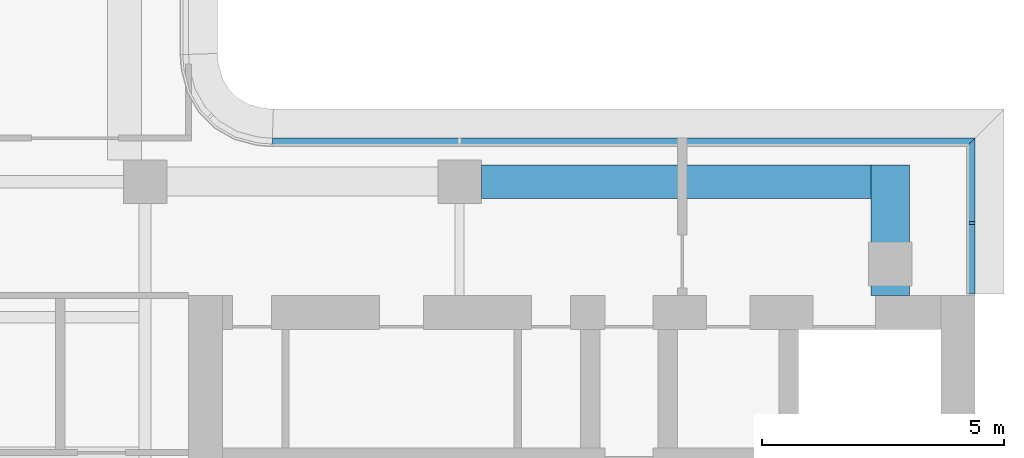
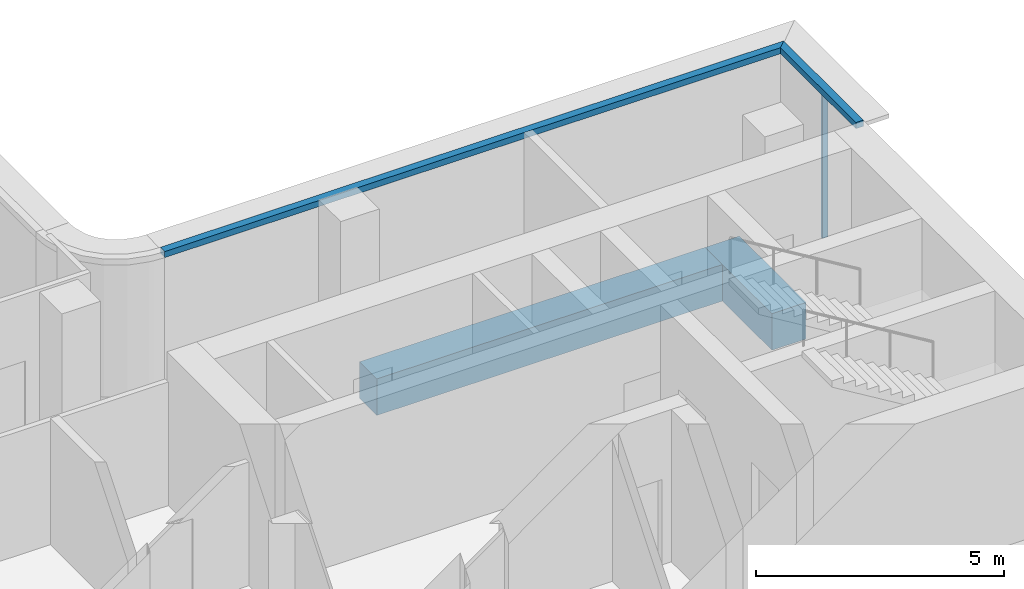
# One storey, part 5 of 11: 3 members, 2 beams, 2 elements without a shape of their own.
"""IFC4 building model written with IfcOpenShell, lengths in metres."""

from ifc_helpers import new_model, si_unit, direction, frame, origin, origin_2d, place, context, subcontext, project, spatial, polyline, rectangle, outline, extrude, source, transform, mapped, material, layer, layer_set, material_profile, profile_set, type_object, element, aggregate, save


model = new_model("IFC4")

# Units and contexts
model_context = context("Model", 3, precision=1e-05, world=origin(), true_north=direction((0.0, 1.0)))
body_context = subcontext(model_context, "Body", "Model", "MODEL_VIEW")
ifc_project = project(units=[si_unit("LENGTHUNIT", "METRE"), si_unit("AREAUNIT", "SQUARE_METRE"), si_unit("VOLUMEUNIT", "CUBIC_METRE"), si_unit("PLANEANGLEUNIT", "RADIAN"), si_unit("MASSUNIT", "GRAM", prefix="KILO")], contexts=[model_context])

# Site, building, storey
site_placement = place(None, origin())
site = spatial("IfcSite", under=ifc_project, at=site_placement, CompositionType="ELEMENT")
building_placement = place(site_placement, origin())
building = spatial("IfcBuilding", under=site, at=building_placement, Name="Trellis Farm Tower", CompositionType="ELEMENT")
storey_placement = place(building_placement, frame((0.0, 0.0, 342.10009765625)))
storey = spatial("IfcBuildingStorey", under=building, at=storey_placement, Name="L77", CompositionType="ELEMENT", Elevation=342.10009765625)

# Beams
ifc_material_1 = material(Name="Concrete C60/75", Category="concrete")
ifc_material_profile_1 = material_profile(ifc_material_1, rectangle(XDim=0.699951171875, YDim=0.89990234375, at=origin_2d()), Name="RC spandrel beam 700x900 C60/75")
ifc_profile_set_1 = profile_set([ifc_material_profile_1], Name="Concrete C60/75")
beam_type_1 = type_object("IfcBeamType", Name="RC spandrel beam 700x900 C60/75", PredefinedType="SPANDREL", material=ifc_profile_set_1)
shared_shape_1 = source(origin(), body_context, "Body", "SweptSolid", [
    extrude(rectangle(XDim=0.699951171875, YDim=0.89990234375, at=origin_2d()), origin(), (0.0, 0.0, 1.0), 8.050048828125),
])
beam_1_placement = place(storey_placement, frame((12.550048828125, 5.60009765625, -0.7001953125), z_axis=(1.0, 0.0, 0.0), x_axis=(0.0, 1.0, 0.0)))
element("IfcBeam", 1, at=beam_1_placement, inside=storey, type_object=beam_type_1, Name="Girder", PredefinedType="SPANDREL", context=body_context, shape_type="MappedRepresentation", body=[
    mapped(shared_shape_1, transform((0.0, 0.0, 0.0))),
])
ifc_material_profile_2 = material_profile(ifc_material_1, rectangle(XDim=0.800048828125, YDim=0.89990234375, at=origin_2d()), Name="RC spandrel beam 800x900 C60/75")
ifc_profile_set_2 = profile_set([ifc_material_profile_2], Name="Concrete C60/75")
beam_type_2 = type_object("IfcBeamType", Name="RC spandrel beam 800x900 C60/75", PredefinedType="SPANDREL", material=ifc_profile_set_2)
shared_shape_2 = source(origin(), body_context, "Body", "SweptSolid", [
    extrude(rectangle(XDim=0.800048828125, YDim=0.89990234375, at=origin_2d()), origin(), (0.0, 0.0, 1.0), 2.699951171875),
])
beam_2_placement = place(storey_placement, frame((21.0, 3.25, -0.7001953125), z_axis=(0.0, 1.0, 0.0), x_axis=(-1.0, 0.0, 0.0)))
element("IfcBeam", 2, at=beam_2_placement, inside=storey, type_object=beam_type_2, Name="Girder", PredefinedType="SPANDREL", context=body_context, shape_type="MappedRepresentation", body=[
    mapped(shared_shape_2, transform((0.0, 0.0, 0.0))),
])

# Curtain wall, member
ifc_material_2 = material(Name="Aluminium and glass curtain wall", Category="aluminium")
ifc_layer_1 = layer(ifc_material_2, 0.176025390625)
ifc_layer_set_1 = layer_set([ifc_layer_1], Name="CROWN LANTERN CURTAIN WALL CW5")
curtain_wall_type = type_object("IfcCurtainWallType", Name="CROWN LANTERN CURTAIN WALL CW5", PredefinedType="NOTDEFINED", material=ifc_layer_set_1)
placement_1 = place(storey_placement, origin())
curtain_wall_1 = element("IfcCurtainWall", 3, at=placement_1, inside=storey, type_object=curtain_wall_type, Name="CW5 005", PredefinedType="NOTDEFINED")
ifc_material_3 = material(Name="Aluminium extrusion 6063-T6", Category="aluminium")
ifc_material_profile_3 = material_profile(ifc_material_3, rectangle(XDim=0.06005859375, YDim=0.1201171875, at=origin_2d()), Name="MULLION 60x120")
ifc_profile_set_3 = profile_set([ifc_material_profile_3], Name="Aluminium extrusion 6063-T6")
member_type_1 = type_object("IfcMemberType", Name="CW5 MULLION 60x120", PredefinedType="MULLION", material=ifc_profile_set_3)
shared_shape_3 = source(origin(), body_context, "Body", "SweptSolid", [
    extrude(rectangle(XDim=0.06005859375, YDim=0.1201171875, at=origin_2d()), origin(), (0.0, 0.0, 1.0), 3.599853515625),
])
member_1_placement = place(storey_placement, frame((22.68994140625, 4.75, 0.0), z_axis=(0.0, 0.0, 1.0), x_axis=(0.0, 1.0, 0.0)))
member_1 = element("IfcMember", 4, at=member_1_placement, type_object=member_type_1, Name="MU5 005-01", PredefinedType="MULLION", context=body_context, shape_type="MappedRepresentation", body=[
    mapped(shared_shape_3, transform((0.0, 0.0, 0.0))),
])

curtain_wall_2 = element("IfcCurtainWall", 5, at=placement_1, inside=storey, type_object=curtain_wall_type, Name="CW5 006", PredefinedType="NOTDEFINED")
ifc_layer_2 = layer(ifc_material_3, 0.176025390625)
ifc_layer_set_2 = layer_set([ifc_layer_2], Name="Aluminium extrusion 6063-T6")
member_type_2 = type_object("IfcMemberType", Name="CW5 TRANSOM 176x150", PredefinedType="USERDEFINED", material=ifc_layer_set_2)
shared_shape_4 = source(origin(), body_context, "Body", "SweptSolid", [
    extrude(outline(polyline([(22.75, 6.5), (8.2314453125, 6.5), (8.2255859375, 6.323974609375), (22.573974609375, 6.323974609375), (22.75, 6.5)])), origin(), (0.0, 0.0, 1.0), 0.150146484375),
])
placement_2 = place(storey_placement, frame((0.0, 0.0, 3.599853515625)))
member_2 = element("IfcMember", 6, at=placement_2, type_object=member_type_2, Name="TR5 006", ObjectType="TRANSOM", PredefinedType="USERDEFINED", context=body_context, shape_type="MappedRepresentation", body=[
    mapped(shared_shape_4, transform((0.0, 0.0, 0.0))),
])
aggregate(curtain_wall_2, [member_2])

# Member
shared_shape_5 = source(origin(), body_context, "Body", "SweptSolid", [
    extrude(outline(polyline([(22.75, 3.280029296875), (22.75, 6.5), (22.573974609375, 6.323974609375), (22.573974609375, 3.280029296875), (22.75, 3.280029296875)])), origin(), (0.0, 0.0, 1.0), 0.150146484375),
])
member_3 = element("IfcMember", 7, at=placement_2, type_object=member_type_2, Name="TR5 005", ObjectType="TRANSOM", PredefinedType="USERDEFINED", context=body_context, shape_type="MappedRepresentation", body=[
    mapped(shared_shape_5, transform((0.0, 0.0, 0.0))),
])

aggregate(curtain_wall_1, [member_1, member_3])

save(model, "model.ifc")
